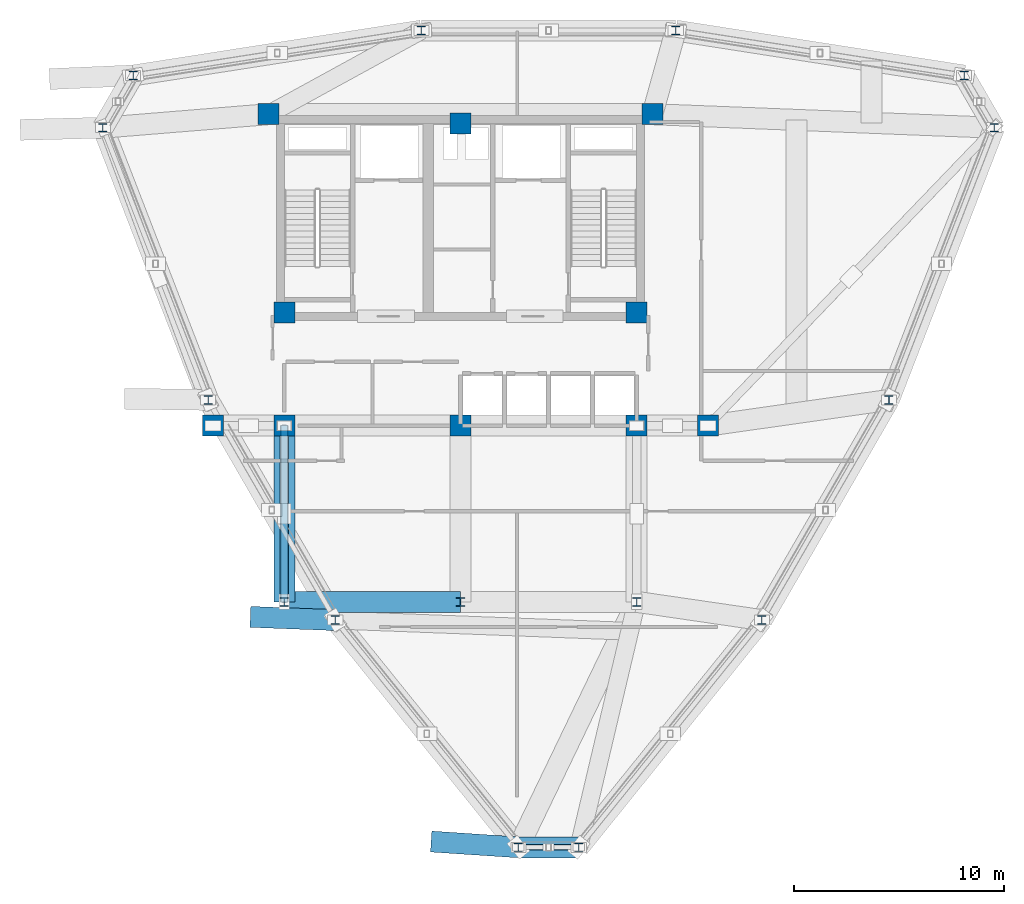
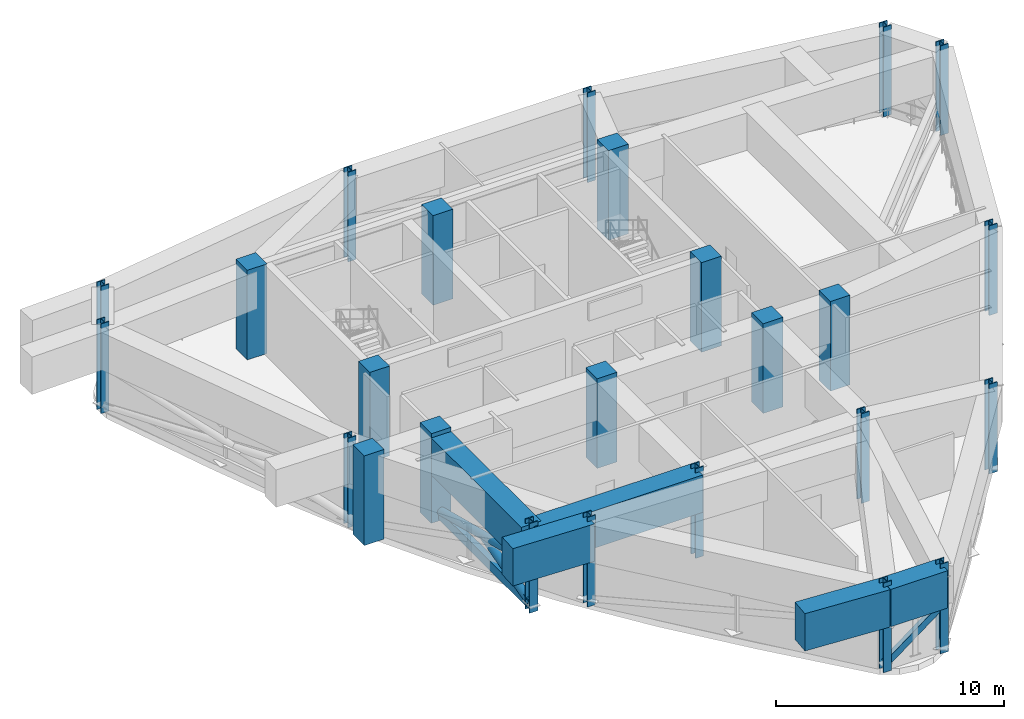
# One storey, part 1 of 11: 25 columns, 5 beams, 4 members.
"""IFC4 building model written with IfcOpenShell, lengths in metres."""

from ifc_helpers import new_model, si_unit, derived_unit, direction, frame, origin, origin_2d, place, context, subcontext, project, spatial, rectangle, hollow_rectangle, hollow_circle, i_section, extrude, source, transform, mapped, material, material_profile, profile_set, type_object, element, save


model = new_model("IFC4")

# Units and contexts
model_context = context("Model", 3, precision=1e-05, world=origin(), true_north=direction((0.0, 1.0)))
body_context = subcontext(model_context, "Body", "Model", "MODEL_VIEW")
ifc_project = project(units=[si_unit("LENGTHUNIT", "METRE"), si_unit("AREAUNIT", "SQUARE_METRE"), si_unit("VOLUMEUNIT", "CUBIC_METRE"), si_unit("PLANEANGLEUNIT", "RADIAN"), si_unit("MASSUNIT", "GRAM", prefix="KILO"), derived_unit("THERMALTRANSMITTANCEUNIT", [(si_unit("POWERUNIT", "WATT"), 1), (si_unit("LENGTHUNIT", "METRE"), -2), (si_unit("THERMODYNAMICTEMPERATUREUNIT", "KELVIN"), -1)])], contexts=[model_context])

# Site, building, storey
site_placement = place(None, origin())
site = spatial("IfcSite", under=ifc_project, at=site_placement, CompositionType="ELEMENT")
building_placement = place(site_placement, origin())
building = spatial("IfcBuilding", under=site, at=building_placement, Name="Korsvarv Bourse and Concert Hall", CompositionType="ELEMENT")
storey_placement = place(building_placement, frame((0.0, 0.0, 238.199951171875)))
storey = spatial("IfcBuildingStorey", under=building, at=storey_placement, Name="L62", CompositionType="ELEMENT", Elevation=238.199951171875)

# Columns
ifc_material_1 = material(Name="Concrete C55/67", Category="concrete")
ifc_material_profile_1 = material_profile(ifc_material_1, rectangle(XDim=1.0, YDim=1.0, at=origin_2d()), Name="RC 1000x1000")
ifc_profile_set_1 = profile_set([ifc_material_profile_1], Name="Concrete C55/67")
column_type_1 = type_object("IfcColumnType", Name="COL-RC1000", PredefinedType="COLUMN", material=ifc_profile_set_1)
shared_shape_1 = source(origin(), body_context, "Body", "SweptSolid", [
    extrude(rectangle(XDim=1.0, YDim=1.0, at=origin_2d()), origin(), (0.0, 0.0, 1.0), 4.800048828125),
])
for number, where, z_axis, x_axis, name in (
    (1, (26.85009765625, 47.25, 0.0), (0.0, 0.0, 1.0), (1.0, 0.0, 0.0), "L62 column C-03"),
    (2, (45.14990234375, 47.25, 0.0), (0.0, 0.0, 1.0), (1.0, 0.0, 0.0), "L62 column C-03"),
    (3, (27.60009765625, 37.800048828125, 0.0), (0.0, 0.0, 1.0), (1.0, 0.0, 0.0), "L62 column C-03"),
    (4, (44.39990234375, 37.800048828125, 0.0), (0.0, 0.0, 1.0), (1.0, 0.0, 0.0), "L62 column C-03"),
    (5, (27.60009765625, 32.39990234375, 0.0), (0.0, 0.0, 1.0), (1.0, 0.0, 0.0), "L62 column C-03"),
    (6, (44.39990234375, 32.39990234375, 0.0), (0.0, 0.0, 1.0), (1.0, 0.0, 0.0), "L62 column C-03"),
    (7, (36.0, 46.800048828125, 0.0), (0.0, 0.0, 1.0), (1.0, 0.0, 0.0), "L62 column C-03"),
    (8, (36.0, 32.39990234375, 0.0), (0.0, 0.0, 1.0), (1.0, 0.0, 0.0), "L62 column C-03"),
    (9, (24.199951171875, 32.39990234375, 0.0), (0.0, 0.0, 1.0), (1.0, 0.0, 0.0), "L62 column C-03"),
    (10, (47.800048828125, 32.39990234375, 0.0), (0.0, 0.0, 1.0), (1.0, 0.0, 0.0), "L62 column C-03"),
):
    element("IfcColumn", number, at=place(storey_placement, frame(where, z_axis=z_axis, x_axis=x_axis)), inside=storey, type_object=column_type_1, Name=name, PredefinedType="COLUMN", context=body_context, shape_type="MappedRepresentation", body=[
        mapped(shared_shape_1, transform((0.0, 0.0, 0.0), scale=1.0)),
    ])
ifc_material_2 = material(Name="Steel S355", Category="steel")
ifc_material_profile_2 = material_profile(ifc_material_2, i_section(OverallWidth=0.412109375, OverallDepth=0.43505859375, WebThickness=0.032958984375, FlangeThickness=0.052978515625, FilletRadius=0.014892578125, at=origin_2d()), Name="HD 400x463")
ifc_profile_set_2 = profile_set([ifc_material_profile_2], Name="Steel S355")
column_type_2 = type_object("IfcColumnType", Name="COL-HD463", PredefinedType="COLUMN", material=ifc_profile_set_2)
shared_shape_2 = source(origin(), body_context, "Body", "SweptSolid", [
    extrude(i_section(OverallWidth=0.412109375, OverallDepth=0.43505859375, WebThickness=0.032958984375, FlangeThickness=0.052978515625, FilletRadius=0.014892578125, at=origin_2d()), origin(), (0.0, 0.0, 1.0), 4.800048828125),
])
for number, where, z_axis, x_axis, name in (
    (11, (27.60009765625, 24.0, 0.0), (0.0, 0.0, 1.0), (1.0, 0.0, 0.0), "L62 column C-09"),
    (12, (44.39990234375, 24.0, 0.0), (0.0, 0.0, 1.0), (1.0, 0.0, 0.0), "L62 column C-09"),
    (13, (36.0, 24.0, 0.0), (0.0, 0.0, 1.0), (1.0, 0.0, 0.0), "L62 column C-09"),
):
    element("IfcColumn", number, at=place(storey_placement, frame(where, z_axis=z_axis, x_axis=x_axis)), inside=storey, type_object=column_type_2, Name=name, PredefinedType="COLUMN", context=body_context, shape_type="MappedRepresentation", body=[
        mapped(shared_shape_2, transform((0.0, 0.0, 0.0), scale=1.0)),
    ])
ifc_material_profile_3 = material_profile(ifc_material_2, i_section(OverallWidth=0.406005859375, OverallDepth=0.416015625, WebThickness=0.027099609375, FlangeThickness=0.0439453125, FilletRadius=0.014892578125, at=origin_2d()), Name="HD 400x382")
ifc_profile_set_3 = profile_set([ifc_material_profile_3], Name="Steel S355")
column_type_3 = type_object("IfcColumnType", Name="COL-HD382", PredefinedType="COLUMN", material=ifc_profile_set_3)
shared_shape_3 = source(origin(), body_context, "Body", "SweptSolid", [
    extrude(i_section(OverallWidth=0.406005859375, OverallDepth=0.416015625, WebThickness=0.027099609375, FlangeThickness=0.0439453125, FilletRadius=0.014892578125, at=origin_2d()), origin(), (0.0, 0.0, 1.0), 4.800048828125),
])
for number, where, z_axis, x_axis, name in (
    (14, (61.447265625, 46.606201171875, 0.0), (0.0, 0.0, 1.0), (1.0, 0.0, 0.0), "L62 column C-10"),
    (15, (60.009033203125, 49.09765625, 0.0), (0.0, 0.0, 1.0), (1.0, 0.0, 0.0), "L62 column C-10"),
    (16, (46.26171875, 51.2412109375, 0.0), (0.0, 0.0, 1.0), (1.0, 0.0, 0.0), "L62 column C-10"),
    (17, (34.13818359375, 51.2412109375, 0.0), (0.0, 0.0, 1.0), (1.0, 0.0, 0.0), "L62 column C-10"),
    (18, (20.39111328125, 49.09765625, 0.0), (0.0, 0.0, 1.0), (1.0, 0.0, 0.0), "L62 column C-10"),
    (19, (18.95263671875, 46.606201171875, 0.0), (0.0, 0.0, 1.0), (1.0, 0.0, 0.0), "L62 column C-10"),
    (20, (23.969970703125, 33.629150390625, 0.0), (0.0, 0.0, 1.0), (1.0, 0.0, 0.0), "L62 column C-10"),
    (21, (30.03173828125, 23.1298828125, 0.0), (0.0, 0.0, 1.0), (1.0, 0.0, 0.0), "L62 column C-10"),
    (22, (38.76171875, 12.296142578125, 0.0), (0.0, 0.0, 1.0), (1.0, 0.0, 0.0), "L62 column C-10"),
    (23, (41.638427734375, 12.296142578125, 0.0), (0.0, 0.0, 1.0), (1.0, 0.0, 0.0), "L62 column C-10"),
    (24, (50.368408203125, 23.1298828125, 0.0), (0.0, 0.0, 1.0), (1.0, 0.0, 0.0), "L62 column C-10"),
    (25, (56.43017578125, 33.629150390625, 0.0), (0.0, 0.0, 1.0), (1.0, 0.0, 0.0), "L62 column C-10"),
):
    element("IfcColumn", number, at=place(storey_placement, frame(where, z_axis=z_axis, x_axis=x_axis)), inside=storey, type_object=column_type_3, Name=name, PredefinedType="COLUMN", context=body_context, shape_type="MappedRepresentation", body=[
        mapped(shared_shape_3, transform((0.0, 0.0, 0.0), scale=1.0)),
    ])

# Beams
ifc_material_3 = material(Name="Concrete C60/75", Category="concrete")
ifc_material_profile_4 = material_profile(ifc_material_3, rectangle(XDim=1.0, YDim=2.0, at=origin_2d()), Name="RC-BM 1000x2000")
ifc_profile_set_4 = profile_set([ifc_material_profile_4], Name="Concrete C60/75")
beam_type = type_object("IfcBeamType", Name="BM-TR1", PredefinedType="BEAM", material=ifc_profile_set_4)
shared_shape_4 = source(origin(), body_context, "Body", "SweptSolid", [
    extrude(rectangle(XDim=1.0, YDim=2.0, at=origin_2d()), origin(), (0.0, 0.0, 1.0), 8.39990234375),
])
for number, where, z_axis, x_axis, name in (
    (26, (27.60009765625, 24.0, 3.570068359375), (1.0, 0.0, 0.0), (0.0, 1.0, 0.0), "L62 beam B-TR1"),
    (27, (27.60009765625, 24.0, 3.570068359375), (0.0, 1.0, 0.0), (-1.0, 0.0, 0.0), "L62 beam B-TR1"),
):
    element("IfcBeam", number, at=place(storey_placement, frame(where, z_axis=z_axis, x_axis=x_axis)), inside=storey, type_object=beam_type, Name=name, PredefinedType="BEAM", context=body_context, shape_type="MappedRepresentation", body=[
        mapped(shared_shape_4, transform((0.0, 0.0, 0.0), scale=1.0)),
    ])

# Members
ifc_material_4 = material(Name="Steel S460", Category="steel")
ifc_material_profile_5 = material_profile(ifc_material_4, hollow_rectangle(XDim=0.300048828125, YDim=0.5, WallThickness=0.02001953125, at=origin_2d()), Name="RHS 500x300x20")
ifc_profile_set_5 = profile_set([ifc_material_profile_5], Name="Steel S460")
member_type_1 = type_object("IfcMemberType", Name="MEM-RHS500", PredefinedType="CHORD", material=ifc_profile_set_5)
shared_shape_5 = source(origin(), body_context, "Body", "SweptSolid", [
    extrude(hollow_rectangle(XDim=0.300048828125, YDim=0.5, WallThickness=0.02001953125, at=origin_2d()), origin(), (0.0, 0.0, 1.0), 8.39990234375),
])
member_1_placement = place(storey_placement, frame((27.60009765625, 32.39990234375, 0.35009765625), z_axis=(0.0, -1.0, 0.0), x_axis=(1.0, 0.0, 0.0)))
element("IfcMember", 28, at=member_1_placement, inside=storey, type_object=member_type_1, Name="L62 Outrigger Truss S1 Bottom Chord", PredefinedType="CHORD", context=body_context, shape_type="MappedRepresentation", body=[
    mapped(shared_shape_5, transform((0.0, 0.0, 0.0), scale=1.0)),
])
ifc_material_profile_6 = material_profile(ifc_material_2, hollow_circle(Radius=0.203125, WallThickness=0.01611328125, at=origin_2d()), Name="CHS 406.4x16")
ifc_profile_set_6 = profile_set([ifc_material_profile_6], Name="Steel S355")
member_type_2 = type_object("IfcMemberType", Name="MEM-CHS406", PredefinedType="BRACE", material=ifc_profile_set_6)
shared_shape_6 = source(origin(), body_context, "Body", "SweptSolid", [
    extrude(hollow_circle(Radius=0.203125, WallThickness=0.01611328125, at=origin_2d()), origin(), (0.0, 0.0, 1.0), 8.675537109375),
])
member_2_placement = place(storey_placement, frame((27.60009765625, 32.39990234375, 0.35009765625), z_axis=(0.0, -0.968215796223, 0.250116316829), x_axis=(1.0, 0.0, 0.0)))
element("IfcMember", 29, at=member_2_placement, inside=storey, type_object=member_type_2, Name="L62 Outrigger Truss S1 Diagonal 1", PredefinedType="BRACE", context=body_context, shape_type="MappedRepresentation", body=[
    mapped(shared_shape_6, transform((0.0, 0.0, 0.0), scale=1.0)),
])
shared_shape_7 = source(origin(), body_context, "Body", "SweptSolid", [
    extrude(hollow_circle(Radius=0.203125, WallThickness=0.01611328125, at=origin_2d()), origin(), (0.0, 0.0, 1.0), 4.337890625),
])
member_3_placement = place(storey_placement, frame((27.60009765625, 24.0, 0.35009765625), z_axis=(0.0, 0.968215796223, 0.250116316829), x_axis=(-1.0, 0.0, 0.0)))
element("IfcMember", 30, at=member_3_placement, inside=storey, type_object=member_type_2, Name="L62 Outrigger Truss S1 Split Diagonal 2A", PredefinedType="BRACE", context=body_context, shape_type="MappedRepresentation", body=[
    mapped(shared_shape_7, transform((0.0, 0.0, 0.0), scale=1.0)),
])

# Beams
shared_shape_8 = source(origin(), body_context, "Body", "SweptSolid", [
    extrude(rectangle(XDim=1.0, YDim=2.0, at=origin_2d()), origin(), (0.0, 0.0, 1.0), 2.876708984375),
])
beam_1_placement = place(storey_placement, frame((38.76171875, 12.296142578125, 3.570068359375), z_axis=(1.0, 0.0, 0.0), x_axis=(0.0, 1.0, 0.0)))
element("IfcBeam", 31, at=beam_1_placement, inside=storey, type_object=beam_type, Name="L62 beam B-TR1", PredefinedType="BEAM", context=body_context, shape_type="MappedRepresentation", body=[
    mapped(shared_shape_8, transform((0.0, 0.0, 0.0), scale=1.0)),
])
shared_shape_9 = source(origin(), body_context, "Body", "SweptSolid", [
    extrude(rectangle(XDim=1.0, YDim=2.0, at=origin_2d()), origin(), (0.0, 0.0, 1.0), 4.05126953125),
])
beam_2_placement = place(storey_placement, frame((30.03173828125, 23.1298828125, 3.570068359375), z_axis=(-0.999279046218, 0.037965613262, 0.0), x_axis=(-0.037965613262, -0.999279046218, 0.0)))
element("IfcBeam", 32, at=beam_2_placement, inside=storey, type_object=beam_type, Name="L62 Block-Shift Transfer Girder 8", PredefinedType="BEAM", context=body_context, shape_type="MappedRepresentation", body=[
    mapped(shared_shape_9, transform((0.0, 0.0, 0.0), scale=1.0)),
])
shared_shape_10 = source(origin(), body_context, "Body", "SweptSolid", [
    extrude(rectangle(XDim=1.0, YDim=2.0, at=origin_2d()), origin(), (0.0, 0.0, 1.0), 4.16845703125),
])
beam_3_placement = place(storey_placement, frame((38.76171875, 12.296142578125, 3.570068359375), z_axis=(-0.997803520084, 0.06624300195, 0.0), x_axis=(-0.06624300195, -0.997803520084, 0.0)))
element("IfcBeam", 33, at=beam_3_placement, inside=storey, type_object=beam_type, Name="L62 Block-Shift Transfer Girder 9", PredefinedType="BEAM", context=body_context, shape_type="MappedRepresentation", body=[
    mapped(shared_shape_10, transform((0.0, 0.0, 0.0), scale=1.0)),
])

# Member
ifc_material_profile_7 = material_profile(ifc_material_2, hollow_rectangle(XDim=0.25, YDim=0.35009765625, WallThickness=0.012451171875, at=origin_2d()), Name="RHS 350x250x12.5")
ifc_profile_set_7 = profile_set([ifc_material_profile_7], Name="Steel S355")
member_type_3 = type_object("IfcMemberType", Name="MEM-RHS350", PredefinedType="STRUT", material=ifc_profile_set_7)
shared_shape_11 = source(origin(), body_context, "Body", "SweptSolid", [
    extrude(hollow_rectangle(XDim=0.25, YDim=0.35009765625, WallThickness=0.012451171875, at=origin_2d()), origin(), (0.0, 0.0, 1.0), 3.603271484375),
])
member_4_placement = place(storey_placement, frame((38.76171875, 12.296142578125, 0.35009765625), z_axis=(0.798346483481, 0.0, 0.602198382855), x_axis=(0.0, 1.0, 0.0)))
element("IfcMember", 34, at=member_4_placement, inside=storey, type_object=member_type_3, Name="L62 Perimeter Belt Truss Diagonal 9", PredefinedType="STRUT", context=body_context, shape_type="MappedRepresentation", body=[
    mapped(shared_shape_11, transform((0.0, 0.0, 0.0), scale=1.0)),
])

save(model, "model.ifc")
